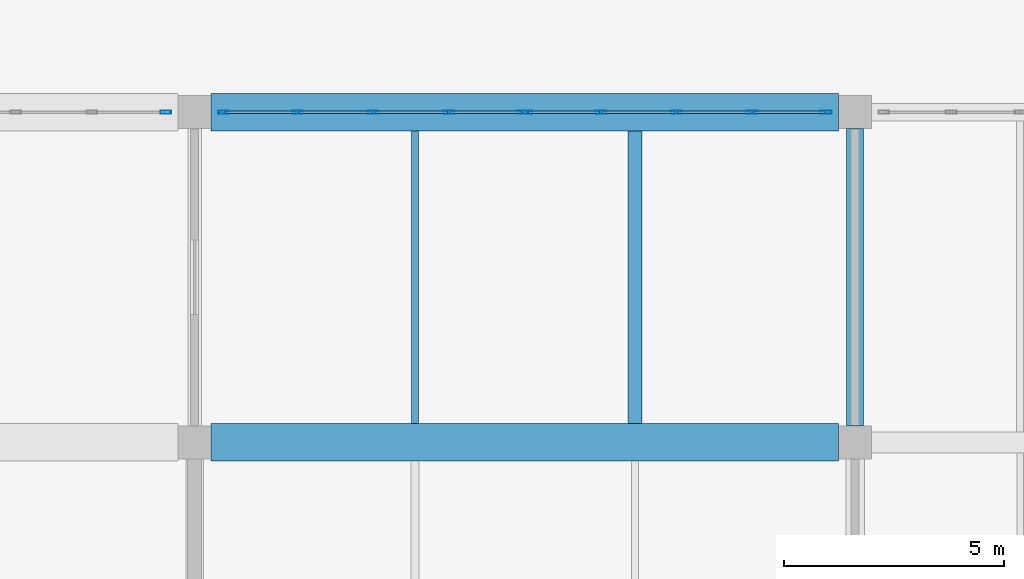
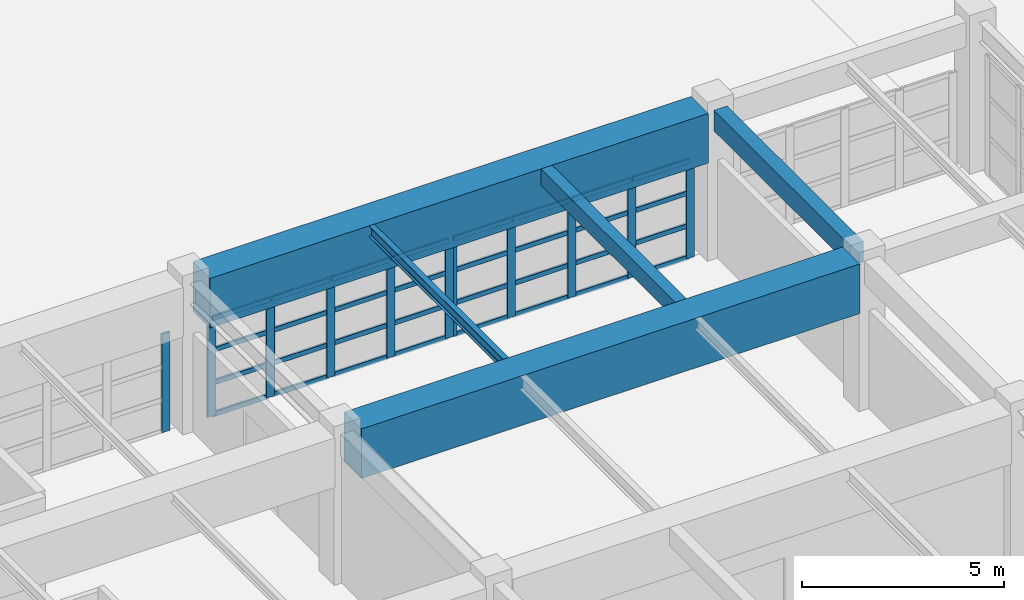
# One storey, part 14 of 122: 43 members, 5 beams, 3 elements without a shape of their own.
"""IFC4 building model written with IfcOpenShell, lengths in metres."""

from ifc_helpers import new_model, si_unit, direction, frame, origin, origin_2d, place, context, subcontext, project, spatial, rectangle, hollow_rectangle, i_section, extrude, material, material_profile, profile_set, type_object, element, aggregate, save


model = new_model("IFC4")

# Units and contexts
model_context = context("Model", 3, precision=1e-05, world=origin(), true_north=direction((0.0, 1.0)))
body_context = subcontext(model_context, "Body", "Model", "MODEL_VIEW")
ifc_project = project(units=[si_unit("LENGTHUNIT", "METRE"), si_unit("AREAUNIT", "SQUARE_METRE"), si_unit("VOLUMEUNIT", "CUBIC_METRE"), si_unit("PLANEANGLEUNIT", "RADIAN"), si_unit("MASSUNIT", "GRAM", prefix="KILO")], contexts=[model_context])

# Site, building, storey
site_placement = place(None, origin())
site = spatial("IfcSite", under=ifc_project, at=site_placement, CompositionType="ELEMENT")
building_placement = place(site_placement, origin())
building = spatial("IfcBuilding", under=site, at=building_placement, Name="Qasida Concert Hall", CompositionType="ELEMENT")
storey_placement = place(building_placement, origin())
storey = spatial("IfcBuildingStorey", under=building, at=storey_placement, Name="L00", CompositionType="ELEMENT", Elevation=0.0)

# Beams
ifc_material_1 = material(Name="Concrete C40/50", Category="concrete")
ifc_material_profile_1 = material_profile(ifc_material_1, rectangle(XDim=0.3798828125, YDim=0.6201171875, at=origin_2d()), Name="RC 380x620")
ifc_profile_set_1 = profile_set([ifc_material_profile_1], Name="Concrete C40/50")
beam_type_1 = type_object("IfcBeamType", Name="BM-B10", PredefinedType="BEAM", material=ifc_profile_set_1)
beam_1_placement = place(storey_placement, frame((30.0, 45.375, 4.18994140625), z_axis=(0.0, 1.0, 0.0), x_axis=(-1.0, 0.0, 0.0)))
element("IfcBeam", 1, at=beam_1_placement, inside=storey, type_object=beam_type_1, Name="L00 girder 0552", PredefinedType="BEAM", context=body_context, shape_type="SweptSolid", body=[
    extrude(rectangle(XDim=0.3798828125, YDim=0.6201171875, at=origin_2d()), origin(), (0.0, 0.0, 1.0), 6.75),
])
ifc_material_2 = material(Name="Steel S355J2", Category="steel")
ifc_material_profile_2 = material_profile(ifc_material_2, i_section(OverallWidth=0.159912109375, OverallDepth=0.330078125, WebThickness=0.007568359375, FlangeThickness=0.011474609375, FilletRadius=0.01806640625, at=origin_2d()), Name="IPE 330")
ifc_profile_set_2 = profile_set([ifc_material_profile_2], Name="Steel S355J2")
beam_type_2 = type_object("IfcBeamType", Name="BM-J5", PredefinedType="JOIST", material=ifc_profile_set_2)
beam_2_placement = place(storey_placement, frame((20.0, 45.425048828125, 4.3349609375), z_axis=(0.0, 1.0, 0.0), x_axis=(-1.0, 0.0, 0.0)))
element("IfcBeam", 2, at=beam_2_placement, inside=storey, type_object=beam_type_2, Name="L00 secondary joist 0580", PredefinedType="JOIST", context=body_context, shape_type="SweptSolid", body=[
    extrude(i_section(OverallWidth=0.159912109375, OverallDepth=0.330078125, WebThickness=0.007568359375, FlangeThickness=0.011474609375, FilletRadius=0.01806640625, at=origin_2d()), origin(), (0.0, 0.0, 1.0), 6.64990234375),
])
ifc_material_profile_3 = material_profile(ifc_material_1, rectangle(XDim=0.320068359375, YDim=0.5, at=origin_2d()), Name="RC 320x500")
ifc_profile_set_3 = profile_set([ifc_material_profile_3], Name="Concrete C40/50")
beam_type_3 = type_object("IfcBeamType", Name="BM-J7", PredefinedType="JOIST", material=ifc_profile_set_3)
beam_3_placement = place(storey_placement, frame((25.0, 45.425048828125, 4.25), z_axis=(0.0, 1.0, 0.0), x_axis=(-1.0, 0.0, 0.0)))
element("IfcBeam", 3, at=beam_3_placement, inside=storey, type_object=beam_type_3, Name="L00 secondary joist 0581", PredefinedType="JOIST", context=body_context, shape_type="SweptSolid", body=[
    extrude(rectangle(XDim=0.320068359375, YDim=0.5, at=origin_2d()), origin(), (0.0, 0.0, 1.0), 6.64990234375),
])
ifc_material_3 = material(Name="Concrete C50/60", Category="concrete")
ifc_material_profile_4 = material_profile(ifc_material_3, rectangle(XDim=0.85009765625, YDim=1.5, at=origin_2d()), Name="RC 850x1500")
ifc_profile_set_4 = profile_set([ifc_material_profile_4], Name="Concrete C50/60")
beam_type_4 = type_object("IfcBeamType", Name="BM-TG2", PredefinedType="USERDEFINED", material=ifc_profile_set_4)
for number, where, z_axis, x_axis, name in (
    (4, (15.375, 45.0, 3.75), (1.0, 0.0, 0.0), (0.0, 1.0, 0.0), "Transfer girder TG-0527"),
    (5, (15.375, 52.5, 3.75), (1.0, 0.0, 0.0), (0.0, 1.0, 0.0), "Transfer girder TG-0530"),
):
    element("IfcBeam", number, at=place(storey_placement, frame(where, z_axis=z_axis, x_axis=x_axis)), inside=storey, type_object=beam_type_4, Name=name, ObjectType="GIRDER", PredefinedType="USERDEFINED", context=body_context, shape_type="SweptSolid", body=[
        extrude(rectangle(XDim=0.85009765625, YDim=1.5, at=origin_2d()), origin(), (0.0, 0.0, 1.0), 14.25),
    ])

# Curtain wall, member
ifc_material_4 = material(Name="Architectural bronze-anodized aluminium and low-E glass", Category="aluminium")
curtain_wall_type = type_object("IfcCurtainWallType", Name="CW-06", PredefinedType="NOTDEFINED", material=ifc_material_4)
curtain_wall_1_placement = place(storey_placement, origin())
curtain_wall_1 = element("IfcCurtainWall", 6, at=curtain_wall_1_placement, inside=storey, type_object=curtain_wall_type, Name="L00 curtain wall CW-06 0069", PredefinedType="NOTDEFINED")
ifc_material_5 = material(Name="Architectural bronze-anodized aluminium EN AW-6063", Category="aluminium")
ifc_material_profile_5 = material_profile(ifc_material_5, hollow_rectangle(XDim=0.070068359375, YDim=0.239990234375, WallThickness=0.0048828125, InnerFilletRadius=0.0048828125, OuterFilletRadius=0.010009765625, at=origin_2d()), Name="CWM 240x70x5")
ifc_profile_set_5 = profile_set([ifc_material_profile_5], Name="Architectural bronze-anodized aluminium EN AW-6063")
member_type_1 = type_object("IfcMemberType", Name="MB-CWM-1", PredefinedType="MULLION", material=ifc_profile_set_5)
member_1_placement = place(storey_placement, frame((14.344970703125, 52.5, 0.0), z_axis=(0.0, 0.0, 1.0), x_axis=(0.0, 1.0, 0.0)))
member_1 = element("IfcMember", 7, at=member_1_placement, type_object=member_type_1, Name="CW-06 mullion 5", PredefinedType="MULLION", context=body_context, shape_type="SweptSolid", body=[
    extrude(hollow_rectangle(XDim=0.070068359375, YDim=0.239990234375, WallThickness=0.0048828125, InnerFilletRadius=0.0048828125, OuterFilletRadius=0.010009765625, at=origin_2d()), origin(), (0.0, 0.0, 1.0), 2.969970703125),
])
aggregate(curtain_wall_1, [member_1])

# Curtain wall, members
curtain_wall_2_placement = place(storey_placement, origin())
curtain_wall_2 = element("IfcCurtainWall", 8, at=curtain_wall_2_placement, inside=storey, type_object=curtain_wall_type, Name="L00 curtain wall CW-06 0070", PredefinedType="NOTDEFINED")
member_2_placement = place(storey_placement, frame((15.655029296875, 52.5, 0.0), z_axis=(0.0, 0.0, 1.0), x_axis=(0.0, 1.0, 0.0)))
member_2 = element("IfcMember", 9, at=member_2_placement, type_object=member_type_1, Name="CW-06 mullion 1", PredefinedType="MULLION", context=body_context, shape_type="SweptSolid", body=[
    extrude(hollow_rectangle(XDim=0.070068359375, YDim=0.239990234375, WallThickness=0.0048828125, InnerFilletRadius=0.0048828125, OuterFilletRadius=0.010009765625, at=origin_2d()), origin(), (0.0, 0.0, 1.0), 2.969970703125),
])
member_3_placement = place(storey_placement, frame((17.33740234375, 52.5, 0.0), z_axis=(0.0, 0.0, 1.0), x_axis=(0.0, 1.0, 0.0)))
member_3 = element("IfcMember", 10, at=member_3_placement, type_object=member_type_1, Name="CW-06 mullion 2", PredefinedType="MULLION", context=body_context, shape_type="SweptSolid", body=[
    extrude(hollow_rectangle(XDim=0.070068359375, YDim=0.239990234375, WallThickness=0.0048828125, InnerFilletRadius=0.0048828125, OuterFilletRadius=0.010009765625, at=origin_2d()), origin(), (0.0, 0.0, 1.0), 2.969970703125),
])
member_4_placement = place(storey_placement, frame((19.054931640625, 52.5, 0.0), z_axis=(0.0, 0.0, 1.0), x_axis=(0.0, 1.0, 0.0)))
member_4 = element("IfcMember", 11, at=member_4_placement, type_object=member_type_1, Name="CW-06 mullion 3", PredefinedType="MULLION", context=body_context, shape_type="SweptSolid", body=[
    extrude(hollow_rectangle(XDim=0.070068359375, YDim=0.239990234375, WallThickness=0.0048828125, InnerFilletRadius=0.0048828125, OuterFilletRadius=0.010009765625, at=origin_2d()), origin(), (0.0, 0.0, 1.0), 2.969970703125),
])
member_5_placement = place(storey_placement, frame((20.7724609375, 52.5, 0.0), z_axis=(0.0, 0.0, 1.0), x_axis=(0.0, 1.0, 0.0)))
member_5 = element("IfcMember", 12, at=member_5_placement, type_object=member_type_1, Name="CW-06 mullion 4", PredefinedType="MULLION", context=body_context, shape_type="SweptSolid", body=[
    extrude(hollow_rectangle(XDim=0.070068359375, YDim=0.239990234375, WallThickness=0.0048828125, InnerFilletRadius=0.0048828125, OuterFilletRadius=0.010009765625, at=origin_2d()), origin(), (0.0, 0.0, 1.0), 2.969970703125),
])
member_6_placement = place(storey_placement, frame((22.455078125, 52.5, 0.0), z_axis=(0.0, 0.0, 1.0), x_axis=(0.0, 1.0, 0.0)))
member_6 = element("IfcMember", 13, at=member_6_placement, type_object=member_type_1, Name="CW-06 mullion 5", PredefinedType="MULLION", context=body_context, shape_type="SweptSolid", body=[
    extrude(hollow_rectangle(XDim=0.070068359375, YDim=0.239990234375, WallThickness=0.0048828125, InnerFilletRadius=0.0048828125, OuterFilletRadius=0.010009765625, at=origin_2d()), origin(), (0.0, 0.0, 1.0), 2.969970703125),
])

curtain_wall_3_placement = place(storey_placement, origin())
curtain_wall_3 = element("IfcCurtainWall", 14, at=curtain_wall_3_placement, inside=storey, type_object=curtain_wall_type, Name="L00 curtain wall CW-06 0071", PredefinedType="NOTDEFINED")
member_7_placement = place(storey_placement, frame((22.544921875, 52.5, 0.0), z_axis=(0.0, 0.0, 1.0), x_axis=(0.0, 1.0, 0.0)))
member_7 = element("IfcMember", 15, at=member_7_placement, type_object=member_type_1, Name="CW-06 mullion 1", PredefinedType="MULLION", context=body_context, shape_type="SweptSolid", body=[
    extrude(hollow_rectangle(XDim=0.070068359375, YDim=0.239990234375, WallThickness=0.0048828125, InnerFilletRadius=0.0048828125, OuterFilletRadius=0.010009765625, at=origin_2d()), origin(), (0.0, 0.0, 1.0), 2.969970703125),
])
member_8_placement = place(storey_placement, frame((24.2275390625, 52.5, 0.0), z_axis=(0.0, 0.0, 1.0), x_axis=(0.0, 1.0, 0.0)))
member_8 = element("IfcMember", 16, at=member_8_placement, type_object=member_type_1, Name="CW-06 mullion 2", PredefinedType="MULLION", context=body_context, shape_type="SweptSolid", body=[
    extrude(hollow_rectangle(XDim=0.070068359375, YDim=0.239990234375, WallThickness=0.0048828125, InnerFilletRadius=0.0048828125, OuterFilletRadius=0.010009765625, at=origin_2d()), origin(), (0.0, 0.0, 1.0), 2.969970703125),
])
member_9_placement = place(storey_placement, frame((25.945068359375, 52.5, 0.0), z_axis=(0.0, 0.0, 1.0), x_axis=(0.0, 1.0, 0.0)))
member_9 = element("IfcMember", 17, at=member_9_placement, type_object=member_type_1, Name="CW-06 mullion 3", PredefinedType="MULLION", context=body_context, shape_type="SweptSolid", body=[
    extrude(hollow_rectangle(XDim=0.070068359375, YDim=0.239990234375, WallThickness=0.0048828125, InnerFilletRadius=0.0048828125, OuterFilletRadius=0.010009765625, at=origin_2d()), origin(), (0.0, 0.0, 1.0), 2.969970703125),
])
member_10_placement = place(storey_placement, frame((27.66259765625, 52.5, 0.0), z_axis=(0.0, 0.0, 1.0), x_axis=(0.0, 1.0, 0.0)))
member_10 = element("IfcMember", 18, at=member_10_placement, type_object=member_type_1, Name="CW-06 mullion 4", PredefinedType="MULLION", context=body_context, shape_type="SweptSolid", body=[
    extrude(hollow_rectangle(XDim=0.070068359375, YDim=0.239990234375, WallThickness=0.0048828125, InnerFilletRadius=0.0048828125, OuterFilletRadius=0.010009765625, at=origin_2d()), origin(), (0.0, 0.0, 1.0), 2.969970703125),
])
member_11_placement = place(storey_placement, frame((29.344970703125, 52.5, 0.0), z_axis=(0.0, 0.0, 1.0), x_axis=(0.0, 1.0, 0.0)))
member_11 = element("IfcMember", 19, at=member_11_placement, type_object=member_type_1, Name="CW-06 mullion 5", PredefinedType="MULLION", context=body_context, shape_type="SweptSolid", body=[
    extrude(hollow_rectangle(XDim=0.070068359375, YDim=0.239990234375, WallThickness=0.0048828125, InnerFilletRadius=0.0048828125, OuterFilletRadius=0.010009765625, at=origin_2d()), origin(), (0.0, 0.0, 1.0), 2.969970703125),
])

# Member
ifc_material_profile_6 = material_profile(ifc_material_5, hollow_rectangle(XDim=0.06494140625, YDim=0.14990234375, WallThickness=0.00390625, InnerFilletRadius=0.00390625, OuterFilletRadius=0.008056640625, at=origin_2d()), Name="CWT 150x65x4")
ifc_profile_set_6 = profile_set([ifc_material_profile_6], Name="Architectural bronze-anodized aluminium EN AW-6063")
member_type_2 = type_object("IfcMemberType", Name="MB-CWT-1", PredefinedType="USERDEFINED", material=ifc_profile_set_6)
member_12_placement = place(storey_placement, frame((15.68994140625, 52.5, 0.032470703125), z_axis=(1.0, 0.0, 0.0), x_axis=(0.0, 1.0, 0.0)))
member_12 = element("IfcMember", 20, at=member_12_placement, type_object=member_type_2, Name="CW-06 transom 1.1", ObjectType="TRANSOM", PredefinedType="USERDEFINED", context=body_context, shape_type="SweptSolid", body=[
    extrude(hollow_rectangle(XDim=0.06494140625, YDim=0.14990234375, WallThickness=0.00390625, InnerFilletRadius=0.00390625, OuterFilletRadius=0.008056640625, at=origin_2d()), origin(), (0.0, 0.0, 1.0), 1.612548828125),
])

member_13_placement = place(storey_placement, frame((15.68994140625, 52.5, 0.989990234375), z_axis=(1.0, 0.0, 0.0), x_axis=(0.0, 1.0, 0.0)))
member_13 = element("IfcMember", 21, at=member_13_placement, type_object=member_type_2, Name="CW-06 transom 1.2", ObjectType="TRANSOM", PredefinedType="USERDEFINED", context=body_context, shape_type="SweptSolid", body=[
    extrude(hollow_rectangle(XDim=0.06494140625, YDim=0.14990234375, WallThickness=0.00390625, InnerFilletRadius=0.00390625, OuterFilletRadius=0.008056640625, at=origin_2d()), origin(), (0.0, 0.0, 1.0), 1.612548828125),
])

member_14_placement = place(storey_placement, frame((15.68994140625, 52.5, 1.97998046875), z_axis=(1.0, 0.0, 0.0), x_axis=(0.0, 1.0, 0.0)))
member_14 = element("IfcMember", 22, at=member_14_placement, type_object=member_type_2, Name="CW-06 transom 1.3", ObjectType="TRANSOM", PredefinedType="USERDEFINED", context=body_context, shape_type="SweptSolid", body=[
    extrude(hollow_rectangle(XDim=0.06494140625, YDim=0.14990234375, WallThickness=0.00390625, InnerFilletRadius=0.00390625, OuterFilletRadius=0.008056640625, at=origin_2d()), origin(), (0.0, 0.0, 1.0), 1.612548828125),
])

member_15_placement = place(storey_placement, frame((15.68994140625, 52.5, 2.9375), z_axis=(1.0, 0.0, 0.0), x_axis=(0.0, 1.0, 0.0)))
member_15 = element("IfcMember", 23, at=member_15_placement, type_object=member_type_2, Name="CW-06 transom 1.4", ObjectType="TRANSOM", PredefinedType="USERDEFINED", context=body_context, shape_type="SweptSolid", body=[
    extrude(hollow_rectangle(XDim=0.06494140625, YDim=0.14990234375, WallThickness=0.00390625, InnerFilletRadius=0.00390625, OuterFilletRadius=0.008056640625, at=origin_2d()), origin(), (0.0, 0.0, 1.0), 1.612548828125),
])

member_16_placement = place(storey_placement, frame((17.37255859375, 52.5, 0.032470703125), z_axis=(1.0, 0.0, 0.0), x_axis=(0.0, 1.0, 0.0)))
member_16 = element("IfcMember", 24, at=member_16_placement, type_object=member_type_2, Name="CW-06 transom 2.1", ObjectType="TRANSOM", PredefinedType="USERDEFINED", context=body_context, shape_type="SweptSolid", body=[
    extrude(hollow_rectangle(XDim=0.06494140625, YDim=0.14990234375, WallThickness=0.00390625, InnerFilletRadius=0.00390625, OuterFilletRadius=0.008056640625, at=origin_2d()), origin(), (0.0, 0.0, 1.0), 1.6474609375),
])

member_17_placement = place(storey_placement, frame((17.37255859375, 52.5, 0.989990234375), z_axis=(1.0, 0.0, 0.0), x_axis=(0.0, 1.0, 0.0)))
member_17 = element("IfcMember", 25, at=member_17_placement, type_object=member_type_2, Name="CW-06 transom 2.2", ObjectType="TRANSOM", PredefinedType="USERDEFINED", context=body_context, shape_type="SweptSolid", body=[
    extrude(hollow_rectangle(XDim=0.06494140625, YDim=0.14990234375, WallThickness=0.00390625, InnerFilletRadius=0.00390625, OuterFilletRadius=0.008056640625, at=origin_2d()), origin(), (0.0, 0.0, 1.0), 1.6474609375),
])

member_18_placement = place(storey_placement, frame((17.37255859375, 52.5, 1.97998046875), z_axis=(1.0, 0.0, 0.0), x_axis=(0.0, 1.0, 0.0)))
member_18 = element("IfcMember", 26, at=member_18_placement, type_object=member_type_2, Name="CW-06 transom 2.3", ObjectType="TRANSOM", PredefinedType="USERDEFINED", context=body_context, shape_type="SweptSolid", body=[
    extrude(hollow_rectangle(XDim=0.06494140625, YDim=0.14990234375, WallThickness=0.00390625, InnerFilletRadius=0.00390625, OuterFilletRadius=0.008056640625, at=origin_2d()), origin(), (0.0, 0.0, 1.0), 1.6474609375),
])

member_19_placement = place(storey_placement, frame((17.37255859375, 52.5, 2.9375), z_axis=(1.0, 0.0, 0.0), x_axis=(0.0, 1.0, 0.0)))
member_19 = element("IfcMember", 27, at=member_19_placement, type_object=member_type_2, Name="CW-06 transom 2.4", ObjectType="TRANSOM", PredefinedType="USERDEFINED", context=body_context, shape_type="SweptSolid", body=[
    extrude(hollow_rectangle(XDim=0.06494140625, YDim=0.14990234375, WallThickness=0.00390625, InnerFilletRadius=0.00390625, OuterFilletRadius=0.008056640625, at=origin_2d()), origin(), (0.0, 0.0, 1.0), 1.6474609375),
])

member_20_placement = place(storey_placement, frame((19.090087890625, 52.5, 0.032470703125), z_axis=(1.0, 0.0, 0.0), x_axis=(0.0, 1.0, 0.0)))
member_20 = element("IfcMember", 28, at=member_20_placement, type_object=member_type_2, Name="CW-06 transom 3.1", ObjectType="TRANSOM", PredefinedType="USERDEFINED", context=body_context, shape_type="SweptSolid", body=[
    extrude(hollow_rectangle(XDim=0.06494140625, YDim=0.14990234375, WallThickness=0.00390625, InnerFilletRadius=0.00390625, OuterFilletRadius=0.008056640625, at=origin_2d()), origin(), (0.0, 0.0, 1.0), 1.6474609375),
])

member_21_placement = place(storey_placement, frame((19.090087890625, 52.5, 0.989990234375), z_axis=(1.0, 0.0, 0.0), x_axis=(0.0, 1.0, 0.0)))
member_21 = element("IfcMember", 29, at=member_21_placement, type_object=member_type_2, Name="CW-06 transom 3.2", ObjectType="TRANSOM", PredefinedType="USERDEFINED", context=body_context, shape_type="SweptSolid", body=[
    extrude(hollow_rectangle(XDim=0.06494140625, YDim=0.14990234375, WallThickness=0.00390625, InnerFilletRadius=0.00390625, OuterFilletRadius=0.008056640625, at=origin_2d()), origin(), (0.0, 0.0, 1.0), 1.6474609375),
])

member_22_placement = place(storey_placement, frame((19.090087890625, 52.5, 1.97998046875), z_axis=(1.0, 0.0, 0.0), x_axis=(0.0, 1.0, 0.0)))
member_22 = element("IfcMember", 30, at=member_22_placement, type_object=member_type_2, Name="CW-06 transom 3.3", ObjectType="TRANSOM", PredefinedType="USERDEFINED", context=body_context, shape_type="SweptSolid", body=[
    extrude(hollow_rectangle(XDim=0.06494140625, YDim=0.14990234375, WallThickness=0.00390625, InnerFilletRadius=0.00390625, OuterFilletRadius=0.008056640625, at=origin_2d()), origin(), (0.0, 0.0, 1.0), 1.6474609375),
])

member_23_placement = place(storey_placement, frame((19.090087890625, 52.5, 2.9375), z_axis=(1.0, 0.0, 0.0), x_axis=(0.0, 1.0, 0.0)))
member_23 = element("IfcMember", 31, at=member_23_placement, type_object=member_type_2, Name="CW-06 transom 3.4", ObjectType="TRANSOM", PredefinedType="USERDEFINED", context=body_context, shape_type="SweptSolid", body=[
    extrude(hollow_rectangle(XDim=0.06494140625, YDim=0.14990234375, WallThickness=0.00390625, InnerFilletRadius=0.00390625, OuterFilletRadius=0.008056640625, at=origin_2d()), origin(), (0.0, 0.0, 1.0), 1.6474609375),
])

member_24_placement = place(storey_placement, frame((20.8076171875, 52.5, 0.032470703125), z_axis=(1.0, 0.0, 0.0), x_axis=(0.0, 1.0, 0.0)))
member_24 = element("IfcMember", 32, at=member_24_placement, type_object=member_type_2, Name="CW-06 transom 4.1", ObjectType="TRANSOM", PredefinedType="USERDEFINED", context=body_context, shape_type="SweptSolid", body=[
    extrude(hollow_rectangle(XDim=0.06494140625, YDim=0.14990234375, WallThickness=0.00390625, InnerFilletRadius=0.00390625, OuterFilletRadius=0.008056640625, at=origin_2d()), origin(), (0.0, 0.0, 1.0), 1.6123046875),
])

member_25_placement = place(storey_placement, frame((20.8076171875, 52.5, 0.989990234375), z_axis=(1.0, 0.0, 0.0), x_axis=(0.0, 1.0, 0.0)))
member_25 = element("IfcMember", 33, at=member_25_placement, type_object=member_type_2, Name="CW-06 transom 4.2", ObjectType="TRANSOM", PredefinedType="USERDEFINED", context=body_context, shape_type="SweptSolid", body=[
    extrude(hollow_rectangle(XDim=0.06494140625, YDim=0.14990234375, WallThickness=0.00390625, InnerFilletRadius=0.00390625, OuterFilletRadius=0.008056640625, at=origin_2d()), origin(), (0.0, 0.0, 1.0), 1.6123046875),
])

member_26_placement = place(storey_placement, frame((20.8076171875, 52.5, 1.97998046875), z_axis=(1.0, 0.0, 0.0), x_axis=(0.0, 1.0, 0.0)))
member_26 = element("IfcMember", 34, at=member_26_placement, type_object=member_type_2, Name="CW-06 transom 4.3", ObjectType="TRANSOM", PredefinedType="USERDEFINED", context=body_context, shape_type="SweptSolid", body=[
    extrude(hollow_rectangle(XDim=0.06494140625, YDim=0.14990234375, WallThickness=0.00390625, InnerFilletRadius=0.00390625, OuterFilletRadius=0.008056640625, at=origin_2d()), origin(), (0.0, 0.0, 1.0), 1.6123046875),
])

member_27_placement = place(storey_placement, frame((20.8076171875, 52.5, 2.9375), z_axis=(1.0, 0.0, 0.0), x_axis=(0.0, 1.0, 0.0)))
member_27 = element("IfcMember", 35, at=member_27_placement, type_object=member_type_2, Name="CW-06 transom 4.4", ObjectType="TRANSOM", PredefinedType="USERDEFINED", context=body_context, shape_type="SweptSolid", body=[
    extrude(hollow_rectangle(XDim=0.06494140625, YDim=0.14990234375, WallThickness=0.00390625, InnerFilletRadius=0.00390625, OuterFilletRadius=0.008056640625, at=origin_2d()), origin(), (0.0, 0.0, 1.0), 1.6123046875),
])

aggregate(curtain_wall_2, [member_2, member_3, member_4, member_5, member_6, member_12, member_13, member_14, member_15, member_16, member_17, member_18, member_19, member_20, member_21, member_22, member_23, member_24, member_25, member_26, member_27])

member_28_placement = place(storey_placement, frame((22.580078125, 52.5, 0.032470703125), z_axis=(1.0, 0.0, 0.0), x_axis=(0.0, 1.0, 0.0)))
member_28 = element("IfcMember", 36, at=member_28_placement, type_object=member_type_2, Name="CW-06 transom 1.1", ObjectType="TRANSOM", PredefinedType="USERDEFINED", context=body_context, shape_type="SweptSolid", body=[
    extrude(hollow_rectangle(XDim=0.06494140625, YDim=0.14990234375, WallThickness=0.00390625, InnerFilletRadius=0.00390625, OuterFilletRadius=0.008056640625, at=origin_2d()), origin(), (0.0, 0.0, 1.0), 1.6123046875),
])

member_29_placement = place(storey_placement, frame((22.580078125, 52.5, 0.989990234375), z_axis=(1.0, 0.0, 0.0), x_axis=(0.0, 1.0, 0.0)))
member_29 = element("IfcMember", 37, at=member_29_placement, type_object=member_type_2, Name="CW-06 transom 1.2", ObjectType="TRANSOM", PredefinedType="USERDEFINED", context=body_context, shape_type="SweptSolid", body=[
    extrude(hollow_rectangle(XDim=0.06494140625, YDim=0.14990234375, WallThickness=0.00390625, InnerFilletRadius=0.00390625, OuterFilletRadius=0.008056640625, at=origin_2d()), origin(), (0.0, 0.0, 1.0), 1.6123046875),
])

member_30_placement = place(storey_placement, frame((22.580078125, 52.5, 1.97998046875), z_axis=(1.0, 0.0, 0.0), x_axis=(0.0, 1.0, 0.0)))
member_30 = element("IfcMember", 38, at=member_30_placement, type_object=member_type_2, Name="CW-06 transom 1.3", ObjectType="TRANSOM", PredefinedType="USERDEFINED", context=body_context, shape_type="SweptSolid", body=[
    extrude(hollow_rectangle(XDim=0.06494140625, YDim=0.14990234375, WallThickness=0.00390625, InnerFilletRadius=0.00390625, OuterFilletRadius=0.008056640625, at=origin_2d()), origin(), (0.0, 0.0, 1.0), 1.6123046875),
])

member_31_placement = place(storey_placement, frame((22.580078125, 52.5, 2.9375), z_axis=(1.0, 0.0, 0.0), x_axis=(0.0, 1.0, 0.0)))
member_31 = element("IfcMember", 39, at=member_31_placement, type_object=member_type_2, Name="CW-06 transom 1.4", ObjectType="TRANSOM", PredefinedType="USERDEFINED", context=body_context, shape_type="SweptSolid", body=[
    extrude(hollow_rectangle(XDim=0.06494140625, YDim=0.14990234375, WallThickness=0.00390625, InnerFilletRadius=0.00390625, OuterFilletRadius=0.008056640625, at=origin_2d()), origin(), (0.0, 0.0, 1.0), 1.6123046875),
])

member_32_placement = place(storey_placement, frame((24.262451171875, 52.5, 0.032470703125), z_axis=(1.0, 0.0, 0.0), x_axis=(0.0, 1.0, 0.0)))
member_32 = element("IfcMember", 40, at=member_32_placement, type_object=member_type_2, Name="CW-06 transom 2.1", ObjectType="TRANSOM", PredefinedType="USERDEFINED", context=body_context, shape_type="SweptSolid", body=[
    extrude(hollow_rectangle(XDim=0.06494140625, YDim=0.14990234375, WallThickness=0.00390625, InnerFilletRadius=0.00390625, OuterFilletRadius=0.008056640625, at=origin_2d()), origin(), (0.0, 0.0, 1.0), 1.6474609375),
])

member_33_placement = place(storey_placement, frame((24.262451171875, 52.5, 0.989990234375), z_axis=(1.0, 0.0, 0.0), x_axis=(0.0, 1.0, 0.0)))
member_33 = element("IfcMember", 41, at=member_33_placement, type_object=member_type_2, Name="CW-06 transom 2.2", ObjectType="TRANSOM", PredefinedType="USERDEFINED", context=body_context, shape_type="SweptSolid", body=[
    extrude(hollow_rectangle(XDim=0.06494140625, YDim=0.14990234375, WallThickness=0.00390625, InnerFilletRadius=0.00390625, OuterFilletRadius=0.008056640625, at=origin_2d()), origin(), (0.0, 0.0, 1.0), 1.6474609375),
])

member_34_placement = place(storey_placement, frame((24.262451171875, 52.5, 1.97998046875), z_axis=(1.0, 0.0, 0.0), x_axis=(0.0, 1.0, 0.0)))
member_34 = element("IfcMember", 42, at=member_34_placement, type_object=member_type_2, Name="CW-06 transom 2.3", ObjectType="TRANSOM", PredefinedType="USERDEFINED", context=body_context, shape_type="SweptSolid", body=[
    extrude(hollow_rectangle(XDim=0.06494140625, YDim=0.14990234375, WallThickness=0.00390625, InnerFilletRadius=0.00390625, OuterFilletRadius=0.008056640625, at=origin_2d()), origin(), (0.0, 0.0, 1.0), 1.6474609375),
])

member_35_placement = place(storey_placement, frame((24.262451171875, 52.5, 2.9375), z_axis=(1.0, 0.0, 0.0), x_axis=(0.0, 1.0, 0.0)))
member_35 = element("IfcMember", 43, at=member_35_placement, type_object=member_type_2, Name="CW-06 transom 2.4", ObjectType="TRANSOM", PredefinedType="USERDEFINED", context=body_context, shape_type="SweptSolid", body=[
    extrude(hollow_rectangle(XDim=0.06494140625, YDim=0.14990234375, WallThickness=0.00390625, InnerFilletRadius=0.00390625, OuterFilletRadius=0.008056640625, at=origin_2d()), origin(), (0.0, 0.0, 1.0), 1.6474609375),
])

member_36_placement = place(storey_placement, frame((25.97998046875, 52.5, 0.032470703125), z_axis=(1.0, 0.0, 0.0), x_axis=(0.0, 1.0, 0.0)))
member_36 = element("IfcMember", 44, at=member_36_placement, type_object=member_type_2, Name="CW-06 transom 3.1", ObjectType="TRANSOM", PredefinedType="USERDEFINED", context=body_context, shape_type="SweptSolid", body=[
    extrude(hollow_rectangle(XDim=0.06494140625, YDim=0.14990234375, WallThickness=0.00390625, InnerFilletRadius=0.00390625, OuterFilletRadius=0.008056640625, at=origin_2d()), origin(), (0.0, 0.0, 1.0), 1.6474609375),
])

member_37_placement = place(storey_placement, frame((25.97998046875, 52.5, 0.989990234375), z_axis=(1.0, 0.0, 0.0), x_axis=(0.0, 1.0, 0.0)))
member_37 = element("IfcMember", 45, at=member_37_placement, type_object=member_type_2, Name="CW-06 transom 3.2", ObjectType="TRANSOM", PredefinedType="USERDEFINED", context=body_context, shape_type="SweptSolid", body=[
    extrude(hollow_rectangle(XDim=0.06494140625, YDim=0.14990234375, WallThickness=0.00390625, InnerFilletRadius=0.00390625, OuterFilletRadius=0.008056640625, at=origin_2d()), origin(), (0.0, 0.0, 1.0), 1.6474609375),
])

member_38_placement = place(storey_placement, frame((25.97998046875, 52.5, 1.97998046875), z_axis=(1.0, 0.0, 0.0), x_axis=(0.0, 1.0, 0.0)))
member_38 = element("IfcMember", 46, at=member_38_placement, type_object=member_type_2, Name="CW-06 transom 3.3", ObjectType="TRANSOM", PredefinedType="USERDEFINED", context=body_context, shape_type="SweptSolid", body=[
    extrude(hollow_rectangle(XDim=0.06494140625, YDim=0.14990234375, WallThickness=0.00390625, InnerFilletRadius=0.00390625, OuterFilletRadius=0.008056640625, at=origin_2d()), origin(), (0.0, 0.0, 1.0), 1.6474609375),
])

member_39_placement = place(storey_placement, frame((25.97998046875, 52.5, 2.9375), z_axis=(1.0, 0.0, 0.0), x_axis=(0.0, 1.0, 0.0)))
member_39 = element("IfcMember", 47, at=member_39_placement, type_object=member_type_2, Name="CW-06 transom 3.4", ObjectType="TRANSOM", PredefinedType="USERDEFINED", context=body_context, shape_type="SweptSolid", body=[
    extrude(hollow_rectangle(XDim=0.06494140625, YDim=0.14990234375, WallThickness=0.00390625, InnerFilletRadius=0.00390625, OuterFilletRadius=0.008056640625, at=origin_2d()), origin(), (0.0, 0.0, 1.0), 1.6474609375),
])

member_40_placement = place(storey_placement, frame((27.697509765625, 52.5, 0.032470703125), z_axis=(1.0, 0.0, 0.0), x_axis=(0.0, 1.0, 0.0)))
member_40 = element("IfcMember", 48, at=member_40_placement, type_object=member_type_2, Name="CW-06 transom 4.1", ObjectType="TRANSOM", PredefinedType="USERDEFINED", context=body_context, shape_type="SweptSolid", body=[
    extrude(hollow_rectangle(XDim=0.06494140625, YDim=0.14990234375, WallThickness=0.00390625, InnerFilletRadius=0.00390625, OuterFilletRadius=0.008056640625, at=origin_2d()), origin(), (0.0, 0.0, 1.0), 1.612548828125),
])

member_41_placement = place(storey_placement, frame((27.697509765625, 52.5, 0.989990234375), z_axis=(1.0, 0.0, 0.0), x_axis=(0.0, 1.0, 0.0)))
member_41 = element("IfcMember", 49, at=member_41_placement, type_object=member_type_2, Name="CW-06 transom 4.2", ObjectType="TRANSOM", PredefinedType="USERDEFINED", context=body_context, shape_type="SweptSolid", body=[
    extrude(hollow_rectangle(XDim=0.06494140625, YDim=0.14990234375, WallThickness=0.00390625, InnerFilletRadius=0.00390625, OuterFilletRadius=0.008056640625, at=origin_2d()), origin(), (0.0, 0.0, 1.0), 1.612548828125),
])

member_42_placement = place(storey_placement, frame((27.697509765625, 52.5, 1.97998046875), z_axis=(1.0, 0.0, 0.0), x_axis=(0.0, 1.0, 0.0)))
member_42 = element("IfcMember", 50, at=member_42_placement, type_object=member_type_2, Name="CW-06 transom 4.3", ObjectType="TRANSOM", PredefinedType="USERDEFINED", context=body_context, shape_type="SweptSolid", body=[
    extrude(hollow_rectangle(XDim=0.06494140625, YDim=0.14990234375, WallThickness=0.00390625, InnerFilletRadius=0.00390625, OuterFilletRadius=0.008056640625, at=origin_2d()), origin(), (0.0, 0.0, 1.0), 1.612548828125),
])

member_43_placement = place(storey_placement, frame((27.697509765625, 52.5, 2.9375), z_axis=(1.0, 0.0, 0.0), x_axis=(0.0, 1.0, 0.0)))
member_43 = element("IfcMember", 51, at=member_43_placement, type_object=member_type_2, Name="CW-06 transom 4.4", ObjectType="TRANSOM", PredefinedType="USERDEFINED", context=body_context, shape_type="SweptSolid", body=[
    extrude(hollow_rectangle(XDim=0.06494140625, YDim=0.14990234375, WallThickness=0.00390625, InnerFilletRadius=0.00390625, OuterFilletRadius=0.008056640625, at=origin_2d()), origin(), (0.0, 0.0, 1.0), 1.612548828125),
])

aggregate(curtain_wall_3, [member_7, member_8, member_9, member_10, member_11, member_28, member_29, member_30, member_31, member_32, member_33, member_34, member_35, member_36, member_37, member_38, member_39, member_40, member_41, member_42, member_43])

save(model, "model.ifc")
